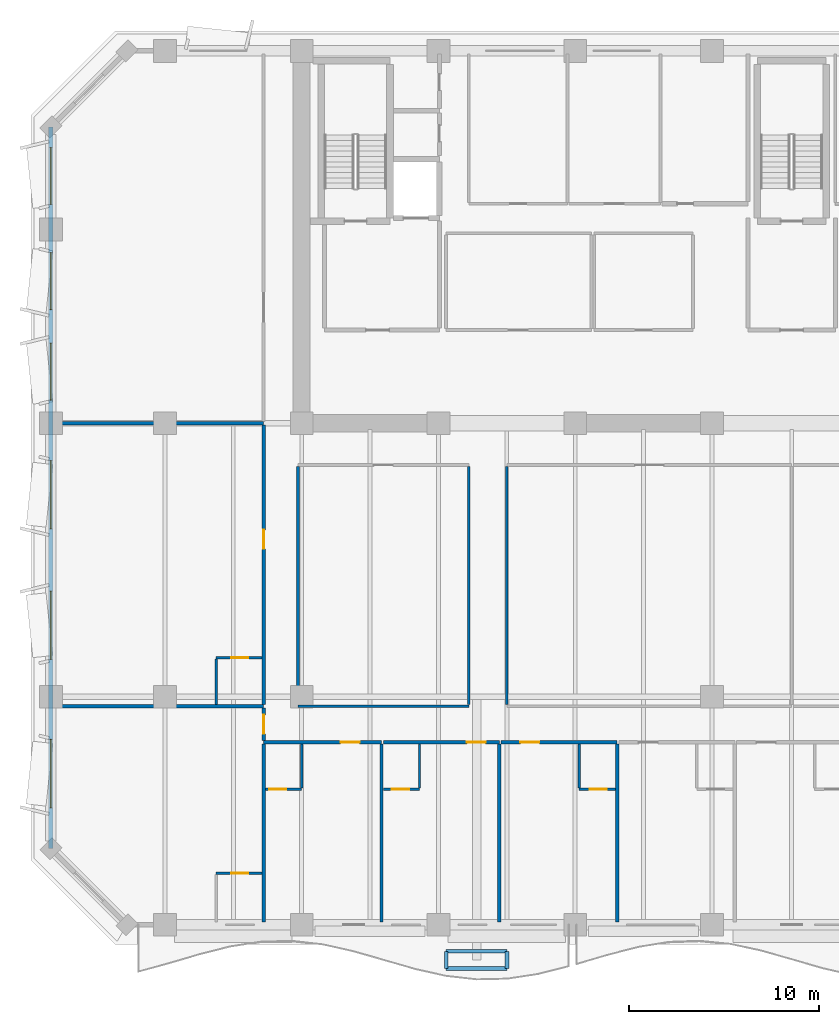
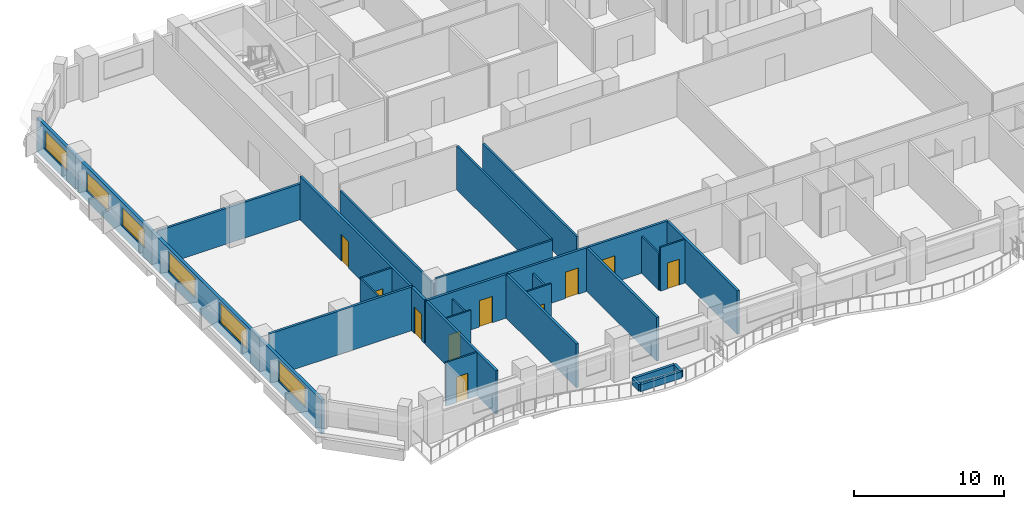
# One storey, part 4 of 15: 29 walls, 10 doors, 6 windows, 16 openings.
"""IFC4 building model written with IfcOpenShell, lengths in metres."""

import ifcopenshell
import ifcopenshell.guid

model = None  # the IFC model being written
_history = None  # IfcOwnerHistory: only IFC2X3 demands one
_inside = {}  # id of a spatial element -> (the spatial element, [elements in it])
_under = {}  # id of a project, library or spatial element -> (it, [spatial elements below it])
_declared = {}  # id of a project -> (the project, [libraries it declares])
_typed = {}  # id of a type object -> (the type object, [elements of that type])
_made_of = {}  # id of a material, layer set ... -> (it, [elements and type objects made of it])


def new_model(schema):
    """Start an empty IFC model of exactly this schema.

    Asked for "IFC4X3", IfcOpenShell would pick the latest addendum, in which some entities
    have other attributes; the version numbers below select the first issue.
    IFC2X3 requires an IfcOwnerHistory on every rooted entity: one is made here for all.
    """
    global model, _history
    if schema == "IFC4X3":
        model = ifcopenshell.file(schema_version=(4, 3, 0, 0))
    else:
        model = ifcopenshell.file(schema=schema)
    _inside.clear()
    _under.clear()
    _declared.clear()
    _typed.clear()
    _made_of.clear()
    _history = None
    if model.schema == "IFC2X3":
        org = make("IfcOrganization", Name="unknown")
        user = make(
            "IfcPersonAndOrganization",
            ThePerson=make("IfcPerson", FamilyName="unknown"),
            TheOrganization=org,
        )
        app = make(
            "IfcApplication",
            ApplicationDeveloper=org,
            Version="unknown",
            ApplicationFullName="unknown",
            ApplicationIdentifier="unknown",
        )
        _history = make(
            "IfcOwnerHistory",
            OwningUser=user,
            OwningApplication=app,
            ChangeAction="ADDED",
            CreationDate=0,
        )
    return model


def make(cls, **values):
    """One entity of the class cls with the attributes given. An attribute that is None is left unset."""
    return model.create_entity(
        cls, **{name: value for name, value in values.items() if value is not None}
    )


def rooted(cls, **values):
    """An entity with a GlobalId (a new one), such as an element, a storey or a relation."""
    return make(cls, GlobalId=ifcopenshell.guid.new(), OwnerHistory=_history, **values)


def si_unit(unit_type, name, prefix=None):
    """IfcSIUnit, for example si_unit("LENGTHUNIT", "METRE", prefix="MILLI")."""
    return make("IfcSIUnit", UnitType=unit_type, Prefix=prefix, Name=name)


def assignment(units):
    """IfcUnitAssignment: the units of a project."""
    return None if units is None else make("IfcUnitAssignment", Units=units)


def point(xyz):
    """IfcCartesianPoint."""
    return None if xyz is None else make("IfcCartesianPoint", Coordinates=xyz)


def direction(xyz):
    """IfcDirection."""
    return None if xyz is None else make("IfcDirection", DirectionRatios=xyz)


def frame(location, z_axis=None, x_axis=None):
    """IfcAxis2Placement3D, a coordinate frame: its origin and axes. An axis left out is left unset."""
    return make(
        "IfcAxis2Placement3D",
        Location=point(location),
        Axis=direction(z_axis),
        RefDirection=direction(x_axis),
    )


def frame_2d(location, x_axis=None):
    """IfcAxis2Placement2D, a coordinate frame in the plane: its origin and x axis."""
    return make(
        "IfcAxis2Placement2D", Location=point(location), RefDirection=direction(x_axis)
    )


def origin():
    """The frame at (0, 0, 0) with its axes left unset."""
    return frame((0.0, 0.0, 0.0))


def place(relative_to, where):
    """IfcLocalPlacement: puts the frame where relative to a parent placement (None: the world)."""
    return make(
        "IfcLocalPlacement", PlacementRelTo=relative_to, RelativePlacement=where
    )


def context(
    kind, dimensions, precision=None, world=None, true_north=None, identifier=None
):
    """IfcGeometricRepresentationContext, for example the 3D "Model" context."""
    return make(
        "IfcGeometricRepresentationContext",
        ContextIdentifier=identifier,
        ContextType=kind,
        CoordinateSpaceDimension=dimensions,
        Precision=precision,
        WorldCoordinateSystem=world,
        TrueNorth=true_north,
    )


def subcontext(parent, identifier, kind, view, scale=None):
    """IfcGeometricRepresentationSubContext, for example "Body" below "Model"."""
    return make(
        "IfcGeometricRepresentationSubContext",
        ContextIdentifier=identifier,
        ContextType=kind,
        ParentContext=parent,
        TargetScale=scale,
        TargetView=view,
    )


def project(units=None, contexts=None):
    """IfcProject with its units and contexts."""
    return rooted(
        "IfcProject",
        Name="project",
        RepresentationContexts=contexts,
        UnitsInContext=assignment(units),
    )


def spatial(cls, under=None, at=None, **own):
    """A site, building, storey or space (cls), placed at a placement, below another one or the project."""
    s = rooted(cls, ObjectPlacement=at, **own)
    if under is not None:
        _under.setdefault(under.id(), (under, []))[1].append(s)
    return s


def profile(cls, at=None, kind="AREA", **sizes):
    """A parametric profile (cls). Its sizes go by their IFC names, for example OverallWidth=200.0."""
    return make(cls, ProfileType=kind, Position=at, **sizes)


def rectangle(**sizes):
    """IfcRectangleProfileDef."""
    return profile("IfcRectangleProfileDef", **sizes)


def extrude(swept, where, along, depth):
    """IfcExtrudedAreaSolid: the profile swept, set in the frame where, extruded along a direction by depth."""
    return make(
        "IfcExtrudedAreaSolid",
        SweptArea=swept,
        Position=where,
        ExtrudedDirection=direction(along),
        Depth=depth,
    )


def shape(context_of_items, identifier, shape_type, items):
    """IfcShapeRepresentation: the items that make up one representation, for example the "Body"."""
    return make(
        "IfcShapeRepresentation",
        ContextOfItems=context_of_items,
        RepresentationIdentifier=identifier,
        RepresentationType=shape_type,
        Items=items,
    )


def material(Name=None, Category=None):
    """IfcMaterial."""
    return make("IfcMaterial", Name=Name, Category=Category)


def layer(
    of_material, thickness, ventilated=None, Name=None, Category=None, Priority=None
):
    """IfcMaterialLayer: one layer of a wall or slab, of a material (None: an air gap)."""
    return make(
        "IfcMaterialLayer",
        Material=of_material,
        LayerThickness=thickness,
        IsVentilated=ventilated,
        Name=Name,
        Category=Category,
        Priority=Priority,
    )


def layer_set(layers, Name=None):
    """IfcMaterialLayerSet."""
    return make("IfcMaterialLayerSet", MaterialLayers=layers, LayerSetName=Name)


def made_of(thing, what):
    """Note that an element or type object is made of a material, layer set ...; save() writes the relation."""
    if what is not None:
        _made_of.setdefault(what.id(), (what, []))[1].append(thing)
    return thing


def type_object(cls, material=None, **own):
    """A type object (cls), such as IfcWallType, which elements share."""
    return made_of(rooted(cls, **own), material)


def element(
    cls,
    number,
    at=None,
    inside=None,
    cuts=None,
    type_object=None,
    material=None,
    context=None,
    identifier="Body",
    shape_type=None,
    held_by="IfcProductDefinitionShape",
    body=None,
    shapes=None,
    **own,
):
    """One element of the class cls, such as IfcWall. Its Tag is "e" and its number.

    at: its placement. inside: the storey or other place that contains it. cuts: it is an
    opening in that element (IfcRelVoidsElement). A single representation is given by context,
    identifier, shape_type and body (its items); several are given by shapes. held_by: the class
    of the entity that holds the representations. save() writes the other relations.
    """
    e = rooted(cls, Tag="e%d" % number, ObjectPlacement=at, **own)
    if body is not None:
        shapes = [shape(context, identifier, shape_type, body)]
    if shapes is not None:
        e.Representation = make(held_by, Representations=shapes)
    if inside is not None:
        _inside.setdefault(inside.id(), (inside, []))[1].append(e)
    if cuts is not None:
        rooted(
            "IfcRelVoidsElement", RelatingBuildingElement=cuts, RelatedOpeningElement=e
        )
    if type_object is not None:
        _typed.setdefault(type_object.id(), (type_object, []))[1].append(e)
    return made_of(e, material)


def fill(opening, filler):
    """IfcRelFillsElement: the door or window that sits in an opening."""
    return rooted(
        "IfcRelFillsElement",
        RelatingOpeningElement=opening,
        RelatedBuildingElement=filler,
    )


def aggregate(whole, parts):
    """IfcRelAggregates: a whole, such as a stair, and the parts it consists of."""
    return rooted("IfcRelAggregates", RelatingObject=whole, RelatedObjects=parts)


def save(model, path):
    """Write the relations noted so far, then the file.

    IfcRelAggregates (storeys below a building ...), IfcRelContainedInSpatialStructure (elements
    in a storey), IfcRelDefinesByType, IfcRelAssociatesMaterial and IfcRelDeclares: one each for
    every whole, place, type object, material and project.
    """
    for whole, parts in _under.values():
        aggregate(whole, parts)
    for where, things in _inside.values():
        rooted(
            "IfcRelContainedInSpatialStructure",
            RelatedElements=things,
            RelatingStructure=where,
        )
    for kind, things in _typed.values():
        rooted("IfcRelDefinesByType", RelatedObjects=things, RelatingType=kind)
    for what, things in _made_of.values():
        rooted("IfcRelAssociatesMaterial", RelatedObjects=things, RelatingMaterial=what)
    for by, libraries in _declared.values():
        rooted("IfcRelDeclares", RelatingContext=by, RelatedDefinitions=libraries)
    model.write(path)


model = new_model("IFC4")

# Units and contexts
model_context = context("Model", 3, precision=1e-05, world=origin(), true_north=direction((0.0, 1.0)))
body_context = subcontext(model_context, "Body", "Model", "MODEL_VIEW")
ifc_project = project(units=[si_unit("LENGTHUNIT", "METRE"), si_unit("AREAUNIT", "SQUARE_METRE"), si_unit("VOLUMEUNIT", "CUBIC_METRE"), si_unit("PLANEANGLEUNIT", "RADIAN"), si_unit("MASSUNIT", "GRAM", prefix="KILO")], contexts=[model_context])

# Site, building, storey
site_placement = place(None, origin())
site = spatial("IfcSite", under=ifc_project, at=site_placement, CompositionType="ELEMENT")
building_placement = place(site_placement, origin())
building = spatial("IfcBuilding", under=site, at=building_placement, Name="Kaelvorn Grand Hotel", CompositionType="ELEMENT")
storey_placement = place(building_placement, frame((0.0, 0.0, 158.14990234375)))
storey = spatial("IfcBuildingStorey", under=building, at=storey_placement, Name="L38", CompositionType="ELEMENT", Elevation=158.14990234375)

# Wall, openings, windows
ifc_material_1 = material(Name="Concrete C40/50", Category="concrete")
ifc_layer_1 = layer(ifc_material_1, 0.239990234375)
ifc_layer_set_1 = layer_set([ifc_layer_1], Name="Concrete C40/50")
wall_type_1 = type_object("IfcWallType", Name="WL-EXT-240-C40", PredefinedType="SOLIDWALL", material=ifc_layer_set_1)
wall_1_placement = place(storey_placement, frame((3.0, 45.0, 0.0), z_axis=(0.0, 0.0, 1.0), x_axis=(0.0, -1.0, 0.0)))
wall_1 = element("IfcWall", 1, at=wall_1_placement, inside=storey, type_object=wall_type_1, Name="L38 Exterior Architectural Concrete Wall 07", PredefinedType="SOLIDWALL", context=body_context, shape_type="SweptSolid", body=[
    extrude(rectangle(XDim=38.0, YDim=0.239990234375, at=frame_2d((19.0, 0.0))), origin(), (0.0, 0.0, 1.0), 2.760009765625),
])
opening_1_placement = place(wall_1_placement, frame((32.25, 0.0, 0.85009765625)))
opening_1 = element("IfcOpeningElement", 2, at=opening_1_placement, cuts=wall_1, Name="Opening W3", PredefinedType="OPENING", context=body_context, shape_type="SweptSolid", body=[
    extrude(rectangle(XDim=3.60009765625, YDim=1.64990234375, at=frame_2d((1.800048828125, 0.824951171875))), frame((0.0, 0.1298828125, 0.0), z_axis=(0.0, -1.0, 0.0), x_axis=(1.0, 0.0, 0.0)), (0.0, 0.0, 1.0), 0.260009765625),
])
opening_2_placement = place(wall_1_placement, frame((24.43505859375, 0.0, 0.85009765625)))
opening_2 = element("IfcOpeningElement", 3, at=opening_2_placement, cuts=wall_1, Name="Opening W3", PredefinedType="OPENING", context=body_context, shape_type="SweptSolid", body=[
    extrude(rectangle(XDim=3.60009765625, YDim=1.64990234375, at=frame_2d((1.800048828125, 0.824951171875))), frame((0.0, 0.1298828125, 0.0), z_axis=(0.0, -1.0, 0.0), x_axis=(1.0, 0.0, 0.0)), (0.0, 0.0, 1.0), 0.260009765625),
])
opening_3_placement = place(wall_1_placement, frame((17.56494140625, 0.0, 0.85009765625)))
opening_3 = element("IfcOpeningElement", 4, at=opening_3_placement, cuts=wall_1, Name="Opening W3", PredefinedType="OPENING", context=body_context, shape_type="SweptSolid", body=[
    extrude(rectangle(XDim=3.60009765625, YDim=1.64990234375, at=frame_2d((1.800048828125, 0.824951171875))), frame((0.0, 0.1298828125, 0.0), z_axis=(0.0, -1.0, 0.0), x_axis=(1.0, 0.0, 0.0)), (0.0, 0.0, 1.0), 0.260009765625),
])
opening_4_placement = place(wall_1_placement, frame((11.385009765625, 0.0, 0.85009765625)))
opening_4 = element("IfcOpeningElement", 5, at=opening_4_placement, cuts=wall_1, Name="Opening W5", PredefinedType="OPENING", context=body_context, shape_type="SweptSolid", body=[
    extrude(rectangle(XDim=3.0, YDim=1.5, at=frame_2d((1.5, 0.75))), frame((0.0, 0.1298828125, 0.0), z_axis=(0.0, -1.0, 0.0), x_axis=(1.0, 0.0, 0.0)), (0.0, 0.0, 1.0), 0.260009765625),
])
opening_5_placement = place(wall_1_placement, frame((6.614990234375, 0.0, 0.85009765625)))
opening_5 = element("IfcOpeningElement", 6, at=opening_5_placement, cuts=wall_1, Name="Opening W5", PredefinedType="OPENING", context=body_context, shape_type="SweptSolid", body=[
    extrude(rectangle(XDim=3.0, YDim=1.5, at=frame_2d((1.5, 0.75))), frame((0.0, 0.1298828125, 0.0), z_axis=(0.0, -1.0, 0.0), x_axis=(1.0, 0.0, 0.0)), (0.0, 0.0, 1.0), 0.260009765625),
])
opening_6_placement = place(wall_1_placement, frame((1.0849609375, 0.0, 0.85009765625)))
opening_6 = element("IfcOpeningElement", 7, at=opening_6_placement, cuts=wall_1, Name="Opening W5", PredefinedType="OPENING", context=body_context, shape_type="SweptSolid", body=[
    extrude(rectangle(XDim=3.0, YDim=1.5, at=frame_2d((1.5, 0.75))), frame((0.0, 0.1298828125, 0.0), z_axis=(0.0, -1.0, 0.0), x_axis=(1.0, 0.0, 0.0)), (0.0, 0.0, 1.0), 0.260009765625),
])
ifc_material_2 = material(Name="Laminated Low-E Glass", Category="glass")
window_type_1 = type_object("IfcWindowType", Name="WIN-NTH-3000x1500", PartitioningType="SINGLE_PANEL", PredefinedType="WINDOW", material=ifc_material_2)
window_1_placement = place(opening_4_placement, origin())
window_1 = element("IfcWindow", 8, at=window_1_placement, inside=storey, type_object=window_type_1, Name="L38 W Wing Tilted-Frame Ribbon Window W04", OverallHeight=1.5, OverallWidth=3.0, PartitioningType="SINGLE_PANEL", PredefinedType="WINDOW", context=body_context, shape_type="SweptSolid", body=[
    extrude(rectangle(XDim=3.0, YDim=1.5, at=frame_2d((1.5, 0.75))), frame((0.0, 0.030029296875, 0.0), z_axis=(0.0, -1.0, 0.0), x_axis=(1.0, 0.0, 0.0)), (0.0, 0.0, 1.0), 0.06005859375),
])
fill(opening_4, window_1)
window_2_placement = place(opening_5_placement, origin())
window_2 = element("IfcWindow", 9, at=window_2_placement, inside=storey, type_object=window_type_1, Name="L38 W Wing Tilted-Frame Ribbon Window W05", OverallHeight=1.5, OverallWidth=3.0, PartitioningType="SINGLE_PANEL", PredefinedType="WINDOW", context=body_context, shape_type="SweptSolid", body=[
    extrude(rectangle(XDim=3.0, YDim=1.5, at=frame_2d((1.5, 0.75))), frame((0.0, 0.030029296875, 0.0), z_axis=(0.0, -1.0, 0.0), x_axis=(1.0, 0.0, 0.0)), (0.0, 0.0, 1.0), 0.06005859375),
])
fill(opening_5, window_2)
window_3_placement = place(opening_6_placement, origin())
window_3 = element("IfcWindow", 10, at=window_3_placement, inside=storey, type_object=window_type_1, Name="L38 W Wing Tilted-Frame Ribbon Window W06", OverallHeight=1.5, OverallWidth=3.0, PartitioningType="SINGLE_PANEL", PredefinedType="WINDOW", context=body_context, shape_type="SweptSolid", body=[
    extrude(rectangle(XDim=3.0, YDim=1.5, at=frame_2d((1.5, 0.75))), frame((0.0, 0.030029296875, 0.0), z_axis=(0.0, -1.0, 0.0), x_axis=(1.0, 0.0, 0.0)), (0.0, 0.0, 1.0), 0.06005859375),
])
fill(opening_6, window_3)
window_type_2 = type_object("IfcWindowType", Name="WIN-RIB-3600x1750", PartitioningType="SINGLE_PANEL", PredefinedType="WINDOW", material=ifc_material_2)
window_4_placement = place(opening_1_placement, origin())
window_4 = element("IfcWindow", 11, at=window_4_placement, inside=storey, type_object=window_type_2, Name="L38 W Wing Tilted-Frame Ribbon Window W01", OverallHeight=1.64990234375, OverallWidth=3.60009765625, PartitioningType="SINGLE_PANEL", PredefinedType="WINDOW", context=body_context, shape_type="SweptSolid", body=[
    extrude(rectangle(XDim=3.60009765625, YDim=1.64990234375, at=frame_2d((1.800048828125, 0.824951171875))), frame((0.0, 0.030029296875, 0.0), z_axis=(0.0, -1.0, 0.0), x_axis=(1.0, 0.0, 0.0)), (0.0, 0.0, 1.0), 0.06005859375),
])
fill(opening_1, window_4)
window_5_placement = place(opening_2_placement, origin())
window_5 = element("IfcWindow", 12, at=window_5_placement, inside=storey, type_object=window_type_2, Name="L38 W Wing Tilted-Frame Ribbon Window W02", OverallHeight=1.64990234375, OverallWidth=3.60009765625, PartitioningType="SINGLE_PANEL", PredefinedType="WINDOW", context=body_context, shape_type="SweptSolid", body=[
    extrude(rectangle(XDim=3.60009765625, YDim=1.64990234375, at=frame_2d((1.800048828125, 0.824951171875))), frame((0.0, 0.030029296875, 0.0), z_axis=(0.0, -1.0, 0.0), x_axis=(1.0, 0.0, 0.0)), (0.0, 0.0, 1.0), 0.06005859375),
])
fill(opening_2, window_5)
window_6_placement = place(opening_3_placement, origin())
window_6 = element("IfcWindow", 13, at=window_6_placement, inside=storey, type_object=window_type_2, Name="L38 W Wing Tilted-Frame Ribbon Window W03", OverallHeight=1.64990234375, OverallWidth=3.60009765625, PartitioningType="SINGLE_PANEL", PredefinedType="WINDOW", context=body_context, shape_type="SweptSolid", body=[
    extrude(rectangle(XDim=3.60009765625, YDim=1.64990234375, at=frame_2d((1.800048828125, 0.824951171875))), frame((0.0, 0.030029296875, 0.0), z_axis=(0.0, -1.0, 0.0), x_axis=(1.0, 0.0, 0.0)), (0.0, 0.0, 1.0), 0.06005859375),
])
fill(opening_3, window_6)

# Wall, opening, door
ifc_material_3 = material(Name="Moisture-Resistant Tile & Stud Board")
ifc_layer_2 = layer(ifc_material_3, 0.125)
ifc_layer_set_2 = layer_set([ifc_layer_2], Name="Moisture-Resistant Tile & Stud Board")
wall_type_2 = type_object("IfcWallType", Name="WL-PART-125-WET", PredefinedType="PARTITIONING", material=ifc_layer_set_2)
wall_2_placement = place(storey_placement, frame((14.294921875, 10.139892578125, 0.0), z_axis=(0.0, 0.0, 1.0), x_axis=(1.0, 0.0, 0.0)))
wall_2 = element("IfcWall", 14, at=wall_2_placement, inside=storey, type_object=wall_type_2, Name="L38 En-suite Bathroom L38-01 S Partition", PredefinedType="PARTITIONING", context=body_context, shape_type="SweptSolid", body=[
    extrude(rectangle(XDim=1.905029296875, YDim=0.125, at=frame_2d((0.95263671875, 0.0))), origin(), (0.0, 0.0, 1.0), 3.56005859375),
])
opening_7_placement = place(wall_2_placement, frame((0.205078125, 0.0, 0.0)))
opening_7 = element("IfcOpeningElement", 15, at=opening_7_placement, cuts=wall_2, Name="Opening DI4", PredefinedType="OPENING", context=body_context, shape_type="SweptSolid", body=[
    extrude(rectangle(XDim=0.89990234375, YDim=2.10009765625, at=frame_2d((0.449951171875, 1.050048828125))), frame((0.0, 0.072509765625, 0.0), z_axis=(0.0, -1.0, 0.0), x_axis=(1.0, 0.0, 0.0)), (0.0, 0.0, 1.0), 0.14501953125),
])
ifc_material_4 = material(Name="Timber Veneer Leaf", Category="wood")
door_type_1 = type_object("IfcDoorType", Name="DR-INT-BATH-900x2100", OperationType="NOTDEFINED", PredefinedType="DOOR", material=ifc_material_4)
door_1_placement = place(opening_7_placement, origin())
door_1 = element("IfcDoor", 16, at=door_1_placement, inside=storey, type_object=door_type_1, Name="L38 En-suite Bathroom L38-01 Door", OperationType="SINGLE_SWING_LEFT", OverallHeight=2.10009765625, OverallWidth=0.89990234375, PredefinedType="DOOR", context=body_context, shape_type="SweptSolid", body=[
    extrude(rectangle(XDim=0.89990234375, YDim=2.10009765625, at=frame_2d((0.449951171875, 1.050048828125))), frame((0.0, 0.02490234375, 0.0), z_axis=(0.0, -1.0, 0.0), x_axis=(1.0, 0.0, 0.0)), (0.0, 0.0, 1.0), 0.050048828125),
])
fill(opening_7, door_1)

# Wall
wall_3_placement = place(storey_placement, frame((16.199951171875, 10.20751953125, 0.0), z_axis=(0.0, 0.0, 1.0), x_axis=(0.0, 1.0, 0.0)))
element("IfcWall", 17, at=wall_3_placement, inside=storey, type_object=wall_type_2, Name="L38 En-suite Bathroom L38-01 E Partition", PredefinedType="PARTITIONING", context=body_context, shape_type="SweptSolid", body=[
    extrude(rectangle(XDim=2.29736328125, YDim=0.125, at=frame_2d((1.148681640625, 0.0))), origin(), (0.0, 0.0, 1.0), 3.010009765625),
])

# Wall, opening, door
wall_4_placement = place(storey_placement, frame((20.49658203125, 10.139892578125, 0.0), z_axis=(0.0, 0.0, 1.0), x_axis=(1.0, 0.0, 0.0)))
wall_4 = element("IfcWall", 18, at=wall_4_placement, inside=storey, type_object=wall_type_2, Name="L38 En-suite Bathroom L38-02 S Partition", PredefinedType="PARTITIONING", context=body_context, shape_type="SweptSolid", body=[
    extrude(rectangle(XDim=1.905029296875, YDim=0.125, at=frame_2d((0.95263671875, 0.0))), origin(), (0.0, 0.0, 1.0), 3.56005859375),
])
opening_8_placement = place(wall_4_placement, frame((0.455078125, 0.0, 0.0)))
opening_8 = element("IfcOpeningElement", 19, at=opening_8_placement, cuts=wall_4, Name="Opening DI4", PredefinedType="OPENING", context=body_context, shape_type="SweptSolid", body=[
    extrude(rectangle(XDim=0.89990234375, YDim=2.10009765625, at=frame_2d((0.449951171875, 1.050048828125))), frame((0.0, 0.072509765625, 0.0), z_axis=(0.0, -1.0, 0.0), x_axis=(1.0, 0.0, 0.0)), (0.0, 0.0, 1.0), 0.14501953125),
])
door_2_placement = place(opening_8_placement, origin())
door_2 = element("IfcDoor", 20, at=door_2_placement, inside=storey, type_object=door_type_1, Name="L38 En-suite Bathroom L38-02 Door", OperationType="SINGLE_SWING_LEFT", OverallHeight=2.10009765625, OverallWidth=0.89990234375, PredefinedType="DOOR", context=body_context, shape_type="SweptSolid", body=[
    extrude(rectangle(XDim=0.89990234375, YDim=2.10009765625, at=frame_2d((0.449951171875, 1.050048828125))), frame((0.0, 0.02490234375, 0.0), z_axis=(0.0, -1.0, 0.0), x_axis=(1.0, 0.0, 0.0)), (0.0, 0.0, 1.0), 0.050048828125),
])
fill(opening_8, door_2)

# Wall
wall_5_placement = place(storey_placement, frame((22.401611328125, 10.20751953125, 0.0), z_axis=(0.0, 0.0, 1.0), x_axis=(0.0, 1.0, 0.0)))
element("IfcWall", 21, at=wall_5_placement, inside=storey, type_object=wall_type_2, Name="L38 En-suite Bathroom L38-02 E Partition", PredefinedType="PARTITIONING", context=body_context, shape_type="SweptSolid", body=[
    extrude(rectangle(XDim=2.29736328125, YDim=0.125, at=frame_2d((1.148681640625, 0.0))), origin(), (0.0, 0.0, 1.0), 2.93017578125),
])

# Wall, opening, door
wall_6_placement = place(storey_placement, frame((30.8046875, 10.139892578125, 0.0), z_axis=(0.0, 0.0, 1.0), x_axis=(1.0, 0.0, 0.0)))
wall_6 = element("IfcWall", 22, at=wall_6_placement, inside=storey, type_object=wall_type_2, Name="L38 En-suite Bathroom L38-03 S Partition", PredefinedType="PARTITIONING", context=body_context, shape_type="SweptSolid", body=[
    extrude(rectangle(XDim=1.905029296875, YDim=0.125, at=frame_2d((0.95263671875, 0.0))), origin(), (0.0, 0.0, 1.0), 3.56005859375),
])
opening_9_placement = place(wall_6_placement, frame((0.550048828125, 0.0, 0.0)))
opening_9 = element("IfcOpeningElement", 23, at=opening_9_placement, cuts=wall_6, Name="Opening DI4", PredefinedType="OPENING", context=body_context, shape_type="SweptSolid", body=[
    extrude(rectangle(XDim=0.89990234375, YDim=2.10009765625, at=frame_2d((0.449951171875, 1.050048828125))), frame((0.0, 0.072509765625, 0.0), z_axis=(0.0, -1.0, 0.0), x_axis=(1.0, 0.0, 0.0)), (0.0, 0.0, 1.0), 0.14501953125),
])
door_3_placement = place(opening_9_placement, origin())
door_3 = element("IfcDoor", 24, at=door_3_placement, inside=storey, type_object=door_type_1, Name="L38 En-suite Bathroom L38-03 Door", OperationType="SINGLE_SWING_LEFT", OverallHeight=2.10009765625, OverallWidth=0.89990234375, PredefinedType="DOOR", context=body_context, shape_type="SweptSolid", body=[
    extrude(rectangle(XDim=0.89990234375, YDim=2.10009765625, at=frame_2d((0.449951171875, 1.050048828125))), frame((0.0, 0.02490234375, 0.0), z_axis=(0.0, -1.0, 0.0), x_axis=(1.0, 0.0, 0.0)), (0.0, 0.0, 1.0), 0.050048828125),
])
fill(opening_9, door_3)

# Wall
wall_7_placement = place(storey_placement, frame((30.8046875, 10.20751953125, 0.0), z_axis=(0.0, 0.0, 1.0), x_axis=(0.0, 1.0, 0.0)))
element("IfcWall", 25, at=wall_7_placement, inside=storey, type_object=wall_type_2, Name="L38 En-suite Bathroom L38-03 W Partition", PredefinedType="PARTITIONING", context=body_context, shape_type="SweptSolid", body=[
    extrude(rectangle(XDim=2.29736328125, YDim=0.125, at=frame_2d((1.148681640625, 0.0))), origin(), (0.0, 0.0, 1.0), 3.010009765625),
])

# Wall, opening, door
wall_8_placement = place(storey_placement, frame((11.699951171875, 5.699951171875, 0.0), z_axis=(0.0, 0.0, 1.0), x_axis=(1.0, 0.0, 0.0)))
wall_8 = element("IfcWall", 26, at=wall_8_placement, inside=storey, type_object=wall_type_2, Name="L38 En-suite Bathroom L38-10 N Partition", PredefinedType="PARTITIONING", context=body_context, shape_type="SweptSolid", body=[
    extrude(rectangle(XDim=2.405029296875, YDim=0.125, at=frame_2d((1.20263671875, 0.0))), origin(), (0.0, 0.0, 1.0), 3.56005859375),
])
opening_10_placement = place(wall_8_placement, frame((0.800048828125, 0.0, 0.0)))
opening_10 = element("IfcOpeningElement", 27, at=opening_10_placement, cuts=wall_8, Name="Opening DI4", PredefinedType="OPENING", context=body_context, shape_type="SweptSolid", body=[
    extrude(rectangle(XDim=0.89990234375, YDim=2.10009765625, at=frame_2d((0.449951171875, 1.050048828125))), frame((0.0, 0.072509765625, 0.0), z_axis=(0.0, -1.0, 0.0), x_axis=(1.0, 0.0, 0.0)), (0.0, 0.0, 1.0), 0.14501953125),
])
door_4_placement = place(opening_10_placement, origin())
door_4 = element("IfcDoor", 28, at=door_4_placement, inside=storey, type_object=door_type_1, Name="L38 En-suite Bathroom L38-10 Door", OperationType="SINGLE_SWING_LEFT", OverallHeight=2.10009765625, OverallWidth=0.89990234375, PredefinedType="DOOR", context=body_context, shape_type="SweptSolid", body=[
    extrude(rectangle(XDim=0.89990234375, YDim=2.10009765625, at=frame_2d((0.449951171875, 1.050048828125))), frame((0.0, 0.02490234375, 0.0), z_axis=(0.0, -1.0, 0.0), x_axis=(1.0, 0.0, 0.0)), (0.0, 0.0, 1.0), 0.050048828125),
])
fill(opening_10, door_4)

wall_9_placement = place(storey_placement, frame((11.699951171875, 17.050048828125, 0.0), z_axis=(0.0, 0.0, 1.0), x_axis=(1.0, 0.0, 0.0)))
wall_9 = element("IfcWall", 29, at=wall_9_placement, inside=storey, type_object=wall_type_2, Name="L38 En-suite Bathroom L38-11 N Partition", PredefinedType="PARTITIONING", context=body_context, shape_type="SweptSolid", body=[
    extrude(rectangle(XDim=2.405029296875, YDim=0.125, at=frame_2d((1.20263671875, 0.0))), origin(), (0.0, 0.0, 1.0), 3.56005859375),
])
opening_11_placement = place(wall_9_placement, frame((0.800048828125, 0.0, 0.0)))
opening_11 = element("IfcOpeningElement", 30, at=opening_11_placement, cuts=wall_9, Name="Opening DI4", PredefinedType="OPENING", context=body_context, shape_type="SweptSolid", body=[
    extrude(rectangle(XDim=0.89990234375, YDim=2.10009765625, at=frame_2d((0.449951171875, 1.050048828125))), frame((0.0, 0.072509765625, 0.0), z_axis=(0.0, -1.0, 0.0), x_axis=(1.0, 0.0, 0.0)), (0.0, 0.0, 1.0), 0.14501953125),
])
door_5_placement = place(opening_11_placement, origin())
door_5 = element("IfcDoor", 31, at=door_5_placement, inside=storey, type_object=door_type_1, Name="L38 En-suite Bathroom L38-11 Door", OperationType="SINGLE_SWING_LEFT", OverallHeight=2.10009765625, OverallWidth=0.89990234375, PredefinedType="DOOR", context=body_context, shape_type="SweptSolid", body=[
    extrude(rectangle(XDim=0.89990234375, YDim=2.10009765625, at=frame_2d((0.449951171875, 1.050048828125))), frame((0.0, 0.02490234375, 0.0), z_axis=(0.0, -1.0, 0.0), x_axis=(1.0, 0.0, 0.0)), (0.0, 0.0, 1.0), 0.050048828125),
])
fill(opening_11, door_5)

# Walls
wall_10_placement = place(storey_placement, frame((11.699951171875, 14.594970703125, 0.0), z_axis=(0.0, 0.0, 1.0), x_axis=(0.0, 1.0, 0.0)))
element("IfcWall", 32, at=wall_10_placement, inside=storey, type_object=wall_type_2, Name="L38 En-suite Bathroom L38-11 W Partition", PredefinedType="PARTITIONING", context=body_context, shape_type="SweptSolid", body=[
    extrude(rectangle(XDim=2.387451171875, YDim=0.125, at=frame_2d((1.19384765625, 0.0))), origin(), (0.0, 0.0, 1.0), 3.56005859375),
])
ifc_material_5 = material(Name="Acoustic Gypsum & Stud Partition")
ifc_layer_3 = layer(ifc_material_5, 0.14990234375)
ifc_layer_set_3 = layer_set([ifc_layer_3], Name="Acoustic Gypsum & Stud Partition")
wall_type_3 = type_object("IfcWallType", Name="WL-PART-150-EI60", PredefinedType="PARTITIONING", material=ifc_layer_set_3)
wall_11_placement = place(storey_placement, frame((16.0, 14.5, 0.0), z_axis=(0.0, 0.0, 1.0), x_axis=(1.0, 0.0, 0.0)))
element("IfcWall", 33, at=wall_11_placement, inside=storey, type_object=wall_type_3, Name="L38 Reading Library Lounge S Partition", PredefinedType="PARTITIONING", context=body_context, shape_type="SweptSolid", body=[
    extrude(rectangle(XDim=9.0, YDim=0.14990234375, at=frame_2d((4.5, 0.0))), origin(), (0.0, 0.0, 1.0), 3.56005859375),
])
wall_12_placement = place(storey_placement, frame((16.0, 14.580078125, 0.0), z_axis=(0.0, 0.0, 1.0), x_axis=(0.0, 1.0, 0.0)))
element("IfcWall", 34, at=wall_12_placement, inside=storey, type_object=wall_type_3, Name="L38 Reading Library Lounge W Partition", PredefinedType="PARTITIONING", context=body_context, shape_type="SweptSolid", body=[
    extrude(rectangle(XDim=12.5400390625, YDim=0.14990234375, at=frame_2d((6.27001953125, 0.0))), origin(), (0.0, 0.0, 1.0), 3.06005859375),
])
wall_13_placement = place(storey_placement, frame((25.0, 14.580078125, 0.0), z_axis=(0.0, 0.0, 1.0), x_axis=(0.0, 1.0, 0.0)))
element("IfcWall", 35, at=wall_13_placement, inside=storey, type_object=wall_type_3, Name="L38 Reading Library Lounge E Partition", PredefinedType="PARTITIONING", context=body_context, shape_type="SweptSolid", body=[
    extrude(rectangle(XDim=12.5400390625, YDim=0.14990234375, at=frame_2d((6.27001953125, 0.0))), origin(), (0.0, 0.0, 1.0), 3.56005859375),
])
wall_14_placement = place(storey_placement, frame((27.0, 14.580078125, 0.0), z_axis=(0.0, 0.0, 1.0), x_axis=(0.0, 1.0, 0.0)))
element("IfcWall", 36, at=wall_14_placement, inside=storey, type_object=wall_type_3, Name="L38 Chef Finishing Kitchen W Partition", PredefinedType="PARTITIONING", context=body_context, shape_type="SweptSolid", body=[
    extrude(rectangle(XDim=12.5400390625, YDim=0.14990234375, at=frame_2d((6.27001953125, 0.0))), origin(), (0.0, 0.0, 1.0), 3.06005859375),
])

# Wall, opening, door
ifc_layer_4 = layer(ifc_material_5, 0.179931640625)
ifc_layer_set_4 = layer_set([ifc_layer_4], Name="Acoustic Gypsum & Stud Partition")
wall_type_4 = type_object("IfcWallType", Name="WL-PART-180-EI60", PredefinedType="PARTITIONING", material=ifc_layer_set_4)
wall_15_placement = place(storey_placement, frame((14.199951171875, 12.60009765625, 0.0), z_axis=(0.0, 0.0, 1.0), x_axis=(1.0, 0.0, 0.0)))
wall_15 = element("IfcWall", 37, at=wall_15_placement, inside=storey, type_object=wall_type_4, Name="L38 Mid-Rise Signature Suite L38-01 N Partition", PredefinedType="PARTITIONING", context=body_context, shape_type="SweptSolid", body=[
    extrude(rectangle(XDim=6.20166015625, YDim=0.179931640625, at=frame_2d((3.100830078125, 0.0))), origin(), (0.0, 0.0, 1.0), 3.56005859375),
])
opening_12_placement = place(wall_15_placement, frame((4.05078125, 0.0, 0.0)))
opening_12 = element("IfcOpeningElement", 38, at=opening_12_placement, cuts=wall_15, Name="Opening DI3", PredefinedType="OPENING", context=body_context, shape_type="SweptSolid", body=[
    extrude(rectangle(XDim=1.0, YDim=2.14990234375, at=frame_2d((0.5, 1.074951171875))), frame((0.0, 0.10009765625, 0.0), z_axis=(0.0, -1.0, 0.0), x_axis=(1.0, 0.0, 0.0)), (0.0, 0.0, 1.0), 0.199951171875),
])
ifc_material_6 = material(Name="Timber Veneer Fire Leaf", Category="wood")
door_type_2 = type_object("IfcDoorType", Name="DR-INT-GUEST-1000x2150", OperationType="NOTDEFINED", PredefinedType="DOOR", material=ifc_material_6)
door_6_placement = place(opening_12_placement, origin())
door_6 = element("IfcDoor", 39, at=door_6_placement, inside=storey, type_object=door_type_2, Name="L38 Mid-Rise Signature Suite L38-01 Door", OperationType="SINGLE_SWING_RIGHT", OverallHeight=2.14990234375, OverallWidth=1.0, PredefinedType="DOOR", context=body_context, shape_type="SweptSolid", body=[
    extrude(rectangle(XDim=1.0, YDim=2.14990234375, at=frame_2d((0.5, 1.074951171875))), frame((0.0, 0.02490234375, 0.0), z_axis=(0.0, -1.0, 0.0), x_axis=(1.0, 0.0, 0.0)), (0.0, 0.0, 1.0), 0.050048828125),
])
fill(opening_12, door_6)

# Walls
for number, where, z_axis, x_axis, name in (
    (40, (14.199951171875, 3.14990234375, 0.0), (0.0, 0.0, 1.0), (0.0, 1.0, 0.0), "L38 Mid-Rise Signature Suite L38-01 W Partition"),
    (41, (20.401611328125, 3.14990234375, 0.0), (0.0, 0.0, 1.0), (0.0, 1.0, 0.0), "L38 Mid-Rise Signature Suite L38-01 E Partition"),
):
    element("IfcWall", number, at=place(storey_placement, frame(where, z_axis=z_axis, x_axis=x_axis)), inside=storey, type_object=wall_type_4, Name=name, PredefinedType="PARTITIONING", context=body_context, shape_type="SweptSolid", body=[
        extrude(rectangle(XDim=9.35498046875, YDim=0.179931640625, at=frame_2d((4.677490234375, 0.0))), origin(), (0.0, 0.0, 1.0), 3.56005859375),
    ])

# Wall, opening, door
wall_16_placement = place(storey_placement, frame((20.49658203125, 12.60009765625, 0.0), z_axis=(0.0, 0.0, 1.0), x_axis=(1.0, 0.0, 0.0)))
wall_16 = element("IfcWall", 42, at=wall_16_placement, inside=storey, type_object=wall_type_4, Name="L38 Mid-Rise Signature Suite L38-02 N Partition", PredefinedType="PARTITIONING", context=body_context, shape_type="SweptSolid", body=[
    extrude(rectangle(XDim=6.1064453125, YDim=0.179931640625, at=frame_2d((3.05322265625, 0.0))), origin(), (0.0, 0.0, 1.0), 3.56005859375),
])
opening_13_placement = place(wall_16_placement, frame((4.39501953125, 0.0, 0.0)))
opening_13 = element("IfcOpeningElement", 43, at=opening_13_placement, cuts=wall_16, Name="Opening DI3", PredefinedType="OPENING", context=body_context, shape_type="SweptSolid", body=[
    extrude(rectangle(XDim=1.0, YDim=2.14990234375, at=frame_2d((0.5, 1.074951171875))), frame((0.0, 0.10009765625, 0.0), z_axis=(0.0, -1.0, 0.0), x_axis=(1.0, 0.0, 0.0)), (0.0, 0.0, 1.0), 0.199951171875),
])
door_7_placement = place(opening_13_placement, origin())
door_7 = element("IfcDoor", 44, at=door_7_placement, inside=storey, type_object=door_type_2, Name="L38 Mid-Rise Signature Suite L38-02 Door", OperationType="SINGLE_SWING_RIGHT", OverallHeight=2.14990234375, OverallWidth=1.0, PredefinedType="DOOR", context=body_context, shape_type="SweptSolid", body=[
    extrude(rectangle(XDim=1.0, YDim=2.14990234375, at=frame_2d((0.5, 1.074951171875))), frame((0.0, 0.02490234375, 0.0), z_axis=(0.0, -1.0, 0.0), x_axis=(1.0, 0.0, 0.0)), (0.0, 0.0, 1.0), 0.050048828125),
])
fill(opening_13, door_7)

# Wall
wall_17_placement = place(storey_placement, frame((26.60302734375, 3.14990234375, 0.0), z_axis=(0.0, 0.0, 1.0), x_axis=(0.0, 1.0, 0.0)))
element("IfcWall", 45, at=wall_17_placement, inside=storey, type_object=wall_type_4, Name="L38 Mid-Rise Signature Suite L38-02 E Partition", PredefinedType="PARTITIONING", context=body_context, shape_type="SweptSolid", body=[
    extrude(rectangle(XDim=9.35498046875, YDim=0.179931640625, at=frame_2d((4.677490234375, 0.0))), origin(), (0.0, 0.0, 1.0), 3.56005859375),
])

# Wall, opening, door
wall_18_placement = place(storey_placement, frame((26.697998046875, 12.60009765625, 0.0), z_axis=(0.0, 0.0, 1.0), x_axis=(1.0, 0.0, 0.0)))
wall_18 = element("IfcWall", 46, at=wall_18_placement, inside=storey, type_object=wall_type_4, Name="L38 Mid-Rise Signature Suite L38-03 N Partition", PredefinedType="PARTITIONING", context=body_context, shape_type="SweptSolid", body=[
    extrude(rectangle(XDim=6.106689453125, YDim=0.179931640625, at=frame_2d((3.05322265625, 0.0))), origin(), (0.0, 0.0, 1.0), 3.56005859375),
])
opening_14_placement = place(wall_18_placement, frame((1.013427734375, 0.0, 0.0)))
opening_14 = element("IfcOpeningElement", 47, at=opening_14_placement, cuts=wall_18, Name="Opening DI3", PredefinedType="OPENING", context=body_context, shape_type="SweptSolid", body=[
    extrude(rectangle(XDim=1.0, YDim=2.14990234375, at=frame_2d((0.5, 1.074951171875))), frame((0.0, 0.10009765625, 0.0), z_axis=(0.0, -1.0, 0.0), x_axis=(1.0, 0.0, 0.0)), (0.0, 0.0, 1.0), 0.199951171875),
])
door_8_placement = place(opening_14_placement, origin())
door_8 = element("IfcDoor", 48, at=door_8_placement, inside=storey, type_object=door_type_2, Name="L38 Mid-Rise Signature Suite L38-03 Door", OperationType="SINGLE_SWING_RIGHT", OverallHeight=2.14990234375, OverallWidth=1.0, PredefinedType="DOOR", context=body_context, shape_type="SweptSolid", body=[
    extrude(rectangle(XDim=1.0, YDim=2.14990234375, at=frame_2d((0.5, 1.074951171875))), frame((0.0, 0.02490234375, 0.0), z_axis=(0.0, -1.0, 0.0), x_axis=(1.0, 0.0, 0.0)), (0.0, 0.0, 1.0), 0.050048828125),
])
fill(opening_14, door_8)

# Walls
wall_19_placement = place(storey_placement, frame((32.8046875, 3.14990234375, 0.0), z_axis=(0.0, 0.0, 1.0), x_axis=(0.0, 1.0, 0.0)))
element("IfcWall", 49, at=wall_19_placement, inside=storey, type_object=wall_type_4, Name="L38 Mid-Rise Signature Suite L38-03 E Partition", PredefinedType="PARTITIONING", context=body_context, shape_type="SweptSolid", body=[
    extrude(rectangle(XDim=9.35498046875, YDim=0.179931640625, at=frame_2d((4.677490234375, 0.0))), origin(), (0.0, 0.0, 1.0), 3.56005859375),
])
wall_20_placement = place(storey_placement, frame((3.14990234375, 14.5, 0.0), z_axis=(0.0, 0.0, 1.0), x_axis=(1.0, 0.0, 0.0)))
element("IfcWall", 50, at=wall_20_placement, inside=storey, type_object=wall_type_4, Name="L38 South-West Chamfer Suite L38-10 N Partition", PredefinedType="PARTITIONING", context=body_context, shape_type="SweptSolid", body=[
    extrude(rectangle(XDim=11.050048828125, YDim=0.179931640625, at=frame_2d((5.52490234375, 0.0))), origin(), (0.0, 0.0, 1.0), 3.56005859375),
])

# Wall, opening, door
wall_21_placement = place(storey_placement, frame((14.199951171875, 12.695068359375, 0.0), z_axis=(0.0, 0.0, 1.0), x_axis=(0.0, 1.0, 0.0)))
wall_21 = element("IfcWall", 51, at=wall_21_placement, inside=storey, type_object=wall_type_4, Name="L38 South-West Chamfer Suite L38-10 E Partition", PredefinedType="PARTITIONING", context=body_context, shape_type="SweptSolid", body=[
    extrude(rectangle(XDim=1.7099609375, YDim=0.179931640625, at=frame_2d((0.85498046875, 0.0))), origin(), (0.0, 0.0, 1.0), 3.56005859375),
])
opening_15_placement = place(wall_21_placement, frame((0.35009765625, 0.0, 0.0)))
opening_15 = element("IfcOpeningElement", 52, at=opening_15_placement, cuts=wall_21, Name="Opening DI3", PredefinedType="OPENING", context=body_context, shape_type="SweptSolid", body=[
    extrude(rectangle(XDim=1.0, YDim=2.14990234375, at=frame_2d((0.5, 1.074951171875))), frame((0.0, 0.10009765625, 0.0), z_axis=(0.0, -1.0, 0.0), x_axis=(1.0, 0.0, 0.0)), (0.0, 0.0, 1.0), 0.199951171875),
])
door_9_placement = place(opening_15_placement, origin())
door_9 = element("IfcDoor", 53, at=door_9_placement, inside=storey, type_object=door_type_2, Name="L38 South-West Chamfer Suite L38-10 Door", OperationType="SINGLE_SWING_RIGHT", OverallHeight=2.14990234375, OverallWidth=1.0, PredefinedType="DOOR", context=body_context, shape_type="SweptSolid", body=[
    extrude(rectangle(XDim=1.0, YDim=2.14990234375, at=frame_2d((0.5, 1.074951171875))), frame((0.0, 0.02490234375, 0.0), z_axis=(0.0, -1.0, 0.0), x_axis=(1.0, 0.0, 0.0)), (0.0, 0.0, 1.0), 0.050048828125),
])
fill(opening_15, door_9)

# Wall
wall_22_placement = place(storey_placement, frame((3.14990234375, 29.39990234375, 0.0), z_axis=(0.0, 0.0, 1.0), x_axis=(1.0, 0.0, 0.0)))
element("IfcWall", 54, at=wall_22_placement, inside=storey, type_object=wall_type_4, Name="L38 West End Panoramic Suite L38-11 N Partition", PredefinedType="PARTITIONING", context=body_context, shape_type="SweptSolid", body=[
    extrude(rectangle(XDim=11.050048828125, YDim=0.179931640625, at=frame_2d((5.52490234375, 0.0))), origin(), (0.0, 0.0, 1.0), 2.91015625),
])

# Wall, opening, door
wall_23_placement = place(storey_placement, frame((14.199951171875, 14.594970703125, 0.0), z_axis=(0.0, 0.0, 1.0), x_axis=(0.0, 1.0, 0.0)))
wall_23 = element("IfcWall", 55, at=wall_23_placement, inside=storey, type_object=wall_type_4, Name="L38 West End Panoramic Suite L38-11 E Partition", PredefinedType="PARTITIONING", context=body_context, shape_type="SweptSolid", body=[
    extrude(rectangle(XDim=14.7099609375, YDim=0.179931640625, at=frame_2d((7.35498046875, 0.0))), origin(), (0.0, 0.0, 1.0), 3.56005859375),
])
opening_16_placement = place(wall_23_placement, frame((8.18994140625, 0.0, 0.0)))
opening_16 = element("IfcOpeningElement", 56, at=opening_16_placement, cuts=wall_23, Name="Opening DI3", PredefinedType="OPENING", context=body_context, shape_type="SweptSolid", body=[
    extrude(rectangle(XDim=1.0, YDim=2.14990234375, at=frame_2d((0.5, 1.074951171875))), frame((0.0, 0.10009765625, 0.0), z_axis=(0.0, -1.0, 0.0), x_axis=(1.0, 0.0, 0.0)), (0.0, 0.0, 1.0), 0.199951171875),
])
door_10_placement = place(opening_16_placement, origin())
door_10 = element("IfcDoor", 57, at=door_10_placement, inside=storey, type_object=door_type_2, Name="L38 West End Panoramic Suite L38-11 Door", OperationType="SINGLE_SWING_RIGHT", OverallHeight=2.14990234375, OverallWidth=1.0, PredefinedType="DOOR", context=body_context, shape_type="SweptSolid", body=[
    extrude(rectangle(XDim=1.0, YDim=2.14990234375, at=frame_2d((0.5, 1.074951171875))), frame((0.0, 0.02490234375, 0.0), z_axis=(0.0, -1.0, 0.0), x_axis=(1.0, 0.0, 0.0)), (0.0, 0.0, 1.0), 0.050048828125),
])
fill(opening_16, door_10)

# Walls
ifc_layer_5 = layer(ifc_material_1, 0.199951171875)
ifc_layer_set_5 = layer_set([ifc_layer_5], Name="Concrete C40/50")
wall_type_5 = type_object("IfcWallType", Name="WL-TREE-PLANTER-200", PredefinedType="PARAPET", material=ifc_layer_set_5)
wall_24_placement = place(storey_placement, frame((23.8095703125, 0.699951171875, 0.0), z_axis=(0.0, 0.0, 1.0), x_axis=(1.0, 0.0, 0.0)))
element("IfcWall", 58, at=wall_24_placement, inside=storey, type_object=wall_type_5, Name="L38 Planted Balcony Structural TREE PLANTER Kerb 1-S", PredefinedType="PARAPET", context=body_context, shape_type="SweptSolid", body=[
    extrude(rectangle(XDim=3.199951171875, YDim=0.199951171875, at=frame_2d((1.60009765625, 0.0))), origin(), (0.0, 0.0, 1.0), 0.550048828125),
])
wall_25_placement = place(storey_placement, frame((27.009521484375, 0.699951171875, 0.0), z_axis=(0.0, 0.0, 1.0), x_axis=(0.0, 1.0, 0.0)))
element("IfcWall", 59, at=wall_25_placement, inside=storey, type_object=wall_type_5, Name="L38 Planted Balcony Structural TREE PLANTER Kerb 1-E", PredefinedType="PARAPET", context=body_context, shape_type="SweptSolid", body=[
    extrude(rectangle(XDim=0.900146484375, YDim=0.199951171875, at=frame_2d((0.4501953125, 0.0))), origin(), (0.0, 0.0, 1.0), 0.550048828125),
])
wall_26_placement = place(storey_placement, frame((27.009521484375, 1.60009765625, 0.0), z_axis=(0.0, 0.0, 1.0), x_axis=(-1.0, 0.0, 0.0)))
element("IfcWall", 60, at=wall_26_placement, inside=storey, type_object=wall_type_5, Name="L38 Planted Balcony Structural TREE PLANTER Kerb 1-N", PredefinedType="PARAPET", context=body_context, shape_type="SweptSolid", body=[
    extrude(rectangle(XDim=3.199951171875, YDim=0.199951171875, at=frame_2d((1.60009765625, 0.0))), origin(), (0.0, 0.0, 1.0), 0.550048828125),
])
wall_27_placement = place(storey_placement, frame((23.8095703125, 1.60009765625, 0.0), z_axis=(0.0, 0.0, 1.0), x_axis=(0.0, -1.0, 0.0)))
element("IfcWall", 61, at=wall_27_placement, inside=storey, type_object=wall_type_5, Name="L38 Planted Balcony Structural TREE PLANTER Kerb 1-W", PredefinedType="PARAPET", context=body_context, shape_type="SweptSolid", body=[
    extrude(rectangle(XDim=0.900146484375, YDim=0.199951171875, at=frame_2d((0.4501953125, 0.0))), origin(), (0.0, 0.0, 1.0), 0.550048828125),
])

save(model, "model.ifc")
